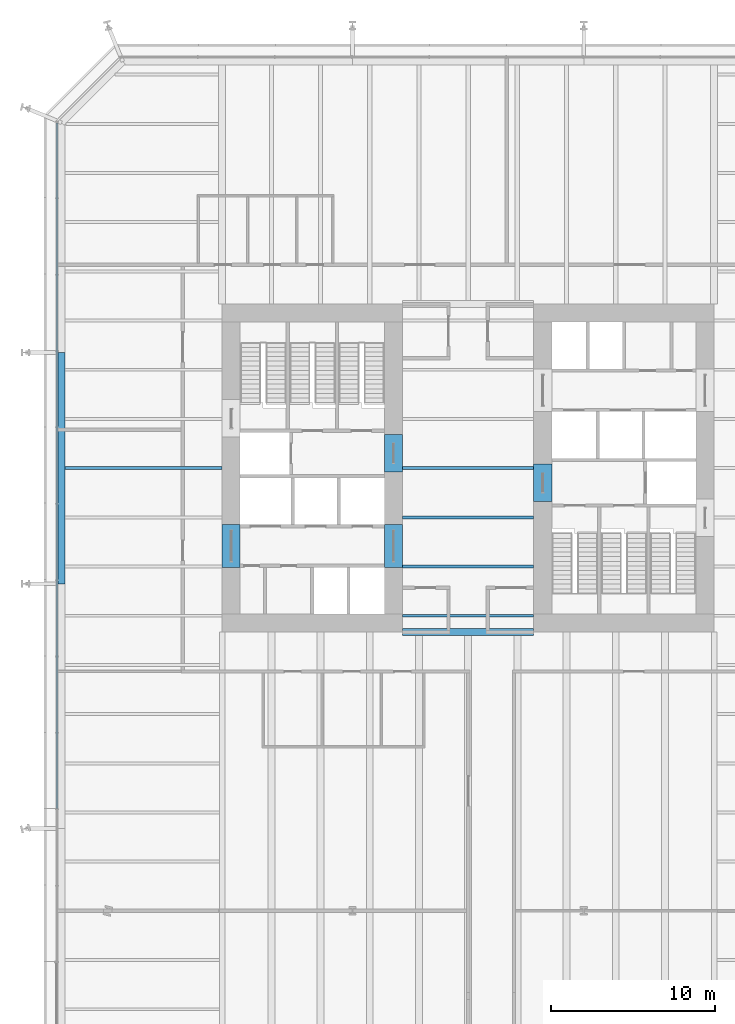
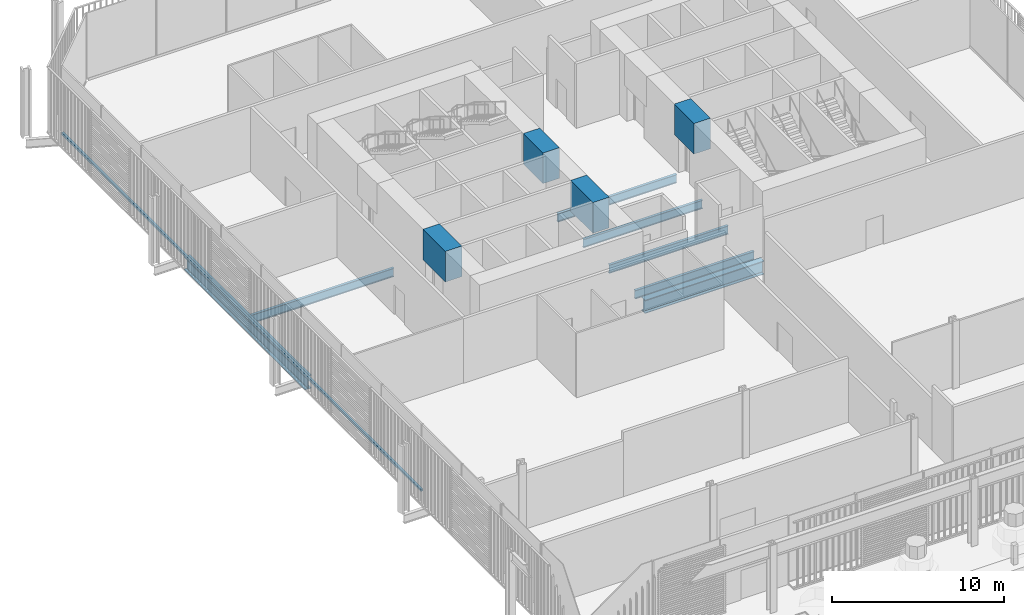
# One storey, part 8 of 25: 11 beams, 1 member, 1 element without a shape of its own.
"""IFC4 building model written with IfcOpenShell, lengths in metres."""

from ifc_helpers import new_model, si_unit, direction, frame, origin, origin_2d, place, context, subcontext, project, spatial, rectangle, i_section, extrude, material, layer, layer_set, material_profile, profile_set, type_object, element, aggregate, save


model = new_model("IFC4")

# Units and contexts
model_context = context("Model", 3, precision=1e-05, world=origin(), true_north=direction((0.0, 1.0)))
body_context = subcontext(model_context, "Body", "Model", "MODEL_VIEW")
ifc_project = project(units=[si_unit("LENGTHUNIT", "METRE"), si_unit("AREAUNIT", "SQUARE_METRE"), si_unit("VOLUMEUNIT", "CUBIC_METRE"), si_unit("PLANEANGLEUNIT", "RADIAN"), si_unit("MASSUNIT", "GRAM", prefix="KILO")], contexts=[model_context])

# Site, building, storey
site_placement = place(None, origin())
site = spatial("IfcSite", under=ifc_project, at=site_placement, CompositionType="ELEMENT")
building_placement = place(site_placement, origin())
building = spatial("IfcBuilding", under=site, at=building_placement, Name="Millrace Tower", CompositionType="ELEMENT")
storey_placement = place(building_placement, frame((0.0, 0.0, 6.5)))
storey = spatial("IfcBuildingStorey", under=building, at=storey_placement, Name="L02", CompositionType="ELEMENT", Elevation=6.5)

# Curtain wall, member
ifc_material_1 = material(Name="Aluminium and glass", Category="aluminium")
ifc_layer = layer(ifc_material_1, 0.14990234375)
ifc_layer_set = layer_set([ifc_layer], Name="Aluminium and glass")
curtain_wall_type = type_object("IfcCurtainWallType", Name="CW-2 data hall insulated curtain wall", PredefinedType="NOTDEFINED", material=ifc_layer_set)
curtain_wall_placement = place(storey_placement, origin())
curtain_wall = element("IfcCurtainWall", 1, at=curtain_wall_placement, inside=storey, type_object=curtain_wall_type, Name="Curtain wall AW2-F06 L02", PredefinedType="NOTDEFINED")
ifc_material_2 = material(Name="Aluminium", Category="aluminium")
ifc_material_profile_1 = material_profile(ifc_material_2, rectangle(XDim=0.14990234375, YDim=0.159912109375, at=origin_2d()))
ifc_profile_set_1 = profile_set([ifc_material_profile_1], Name="Aluminium")
member_type = type_object("IfcMemberType", Name="CW-2 data hall insulated curtain wall transom", PredefinedType="USERDEFINED", material=ifc_profile_set_1)
member_placement = place(storey_placement, frame((-25.074951171875, 21.050048828125, 0.080078125), z_axis=(0.0, -1.0, 0.0), x_axis=(1.0, 0.0, 0.0)))
member = element("IfcMember", 2, at=member_placement, type_object=member_type, Name="CW2 transom AW2-F06.1", ObjectType="TRANSOM", PredefinedType="USERDEFINED", context=body_context, shape_type="SweptSolid", body=[
    extrude(rectangle(XDim=0.14990234375, YDim=0.159912109375, at=origin_2d()), origin(), (0.0, 0.0, 1.0), 41.8193359375),
])
aggregate(curtain_wall, [member])

# Beams
ifc_material_3 = material(Name="Concrete C80", Category="concrete")
ifc_material_profile_2 = material_profile(ifc_material_3, rectangle(XDim=1.10009765625, YDim=2.175048828125, at=origin_2d()))
ifc_profile_set_2 = profile_set([ifc_material_profile_2], Name="Concrete C80")
beam_type_1 = type_object("IfcBeamType", Name="Coupling beam 1100 x 2175 Concrete C80, 1300 opening", PredefinedType="BEAM", material=ifc_profile_set_2)
for number, where, z_axis, x_axis, name in (
    (3, (-4.550048828125, -0.241943359375, 3.487548828125), (0.0, 1.0, 0.0), (-1.0, 0.0, 0.0), "Coupling beam W L02"),
    (4, (4.550048828125, 0.241943359375, 3.487548828125), (0.0, -1.0, 0.0), (1.0, 0.0, 0.0), "Coupling beam E L02"),
):
    element("IfcBeam", number, at=place(storey_placement, frame(where, z_axis=z_axis, x_axis=x_axis)), inside=storey, type_object=beam_type_1, Name=name, PredefinedType="BEAM", context=body_context, shape_type="SweptSolid", body=[
        extrude(rectangle(XDim=1.10009765625, YDim=2.175048828125, at=origin_2d()), origin(), (0.0, 0.0, 1.0), 2.283935546875),
    ])
ifc_material_4 = material(Name="Concrete C80", Category="concrete")
ifc_material_profile_3 = material_profile(ifc_material_4, rectangle(XDim=1.10009765625, YDim=2.175048828125, at=origin_2d()))
ifc_profile_set_3 = profile_set([ifc_material_profile_3], Name="Concrete C80")
beam_type_2 = type_object("IfcBeamType", Name="Coupling beam 1100 x 2175 Concrete C80, 2000 opening", PredefinedType="BEAM", material=ifc_profile_set_3)
for number, where, z_axis, x_axis, name in (
    (5, (-14.449951171875, -6.050048828125, 3.487548828125), (0.0, 1.0, 0.0), (-1.0, 0.0, 0.0), "Coupling beam W L02"),
    (6, (-4.550048828125, -6.050048828125, 3.487548828125), (0.0, 1.0, 0.0), (-1.0, 0.0, 0.0), "Coupling beam W L02"),
):
    element("IfcBeam", number, at=place(storey_placement, frame(where, z_axis=z_axis, x_axis=x_axis)), inside=storey, type_object=beam_type_2, Name=name, PredefinedType="BEAM", context=body_context, shape_type="SweptSolid", body=[
        extrude(rectangle(XDim=1.10009765625, YDim=2.175048828125, at=origin_2d()), origin(), (0.0, 0.0, 1.0), 2.60009765625),
    ])
ifc_material_5 = material(Name="Steel ASTM A992 Grade 50", Category="steel")
ifc_material_profile_4 = material_profile(ifc_material_5, i_section(OverallWidth=0.177978515625, OverallDepth=0.599365234375, WebThickness=0.010009765625, FlangeThickness=0.012939453125, FilletRadius=0.012939453125, at=origin_2d()))
ifc_profile_set_4 = profile_set([ifc_material_profile_4], Name="Steel ASTM A992 Grade 50")
beam_type_3 = type_object("IfcBeamType", Name="Floor beam W24x55", PredefinedType="JOIST", material=ifc_profile_set_4)
for number, where, z_axis, x_axis, name in (
    (7, (-4.0, -9.0, -0.524658203125), (1.0, 0.0, 0.0), (0.0, 1.0, 0.0), "BM-A-L02-S1-S021"),
    (8, (-4.0, -6.0, -0.524658203125), (1.0, 0.0, 0.0), (0.0, 1.0, 0.0), "BM-A-L02-S1-S024"),
    (9, (-4.0, -3.0, -0.524658203125), (1.0, 0.0, 0.0), (0.0, 1.0, 0.0), "BM-A-L02-S1-S027"),
    (10, (-4.0, 0.0, -0.524658203125), (1.0, 0.0, 0.0), (0.0, 1.0, 0.0), "BM-A-L02-S1-S030"),
):
    element("IfcBeam", number, at=place(storey_placement, frame(where, z_axis=z_axis, x_axis=x_axis)), inside=storey, type_object=beam_type_3, Name=name, PredefinedType="JOIST", context=body_context, shape_type="SweptSolid", body=[
        extrude(i_section(OverallWidth=0.177978515625, OverallDepth=0.599365234375, WebThickness=0.010009765625, FlangeThickness=0.012939453125, FilletRadius=0.012939453125, at=origin_2d()), origin(), (0.0, 0.0, 1.0), 8.0),
    ])
ifc_material_6 = material(Name="Steel ASTM A992 Grade 50", Category="steel")
ifc_material_profile_5 = material_profile(ifc_material_6, i_section(OverallWidth=0.1787109375, OverallDepth=0.60205078125, WebThickness=0.010986328125, FlangeThickness=0.014892578125, FilletRadius=0.0126953125, at=origin_2d()))
ifc_profile_set_5 = profile_set([ifc_material_profile_5], Name="Steel ASTM A992 Grade 50")
beam_type_4 = type_object("IfcBeamType", Name="Floor beam W24x62", PredefinedType="JOIST", material=ifc_profile_set_5)
beam_1_placement = place(storey_placement, frame((-24.578369140625, 0.0, -0.52587890625), z_axis=(1.0, 0.0, 0.0), x_axis=(0.0, 1.0, 0.0)))
element("IfcBeam", 11, at=beam_1_placement, inside=storey, type_object=beam_type_4, Name="BM-A-L02-S1-S031", PredefinedType="JOIST", context=body_context, shape_type="SweptSolid", body=[
    extrude(i_section(OverallWidth=0.1787109375, OverallDepth=0.60205078125, WebThickness=0.010986328125, FlangeThickness=0.014892578125, FilletRadius=0.0126953125, at=origin_2d()), origin(), (0.0, 0.0, 1.0), 9.578369140625),
])
ifc_material_7 = material(Name="Steel ASTM A992 Grade 50", Category="steel")
ifc_material_profile_6 = material_profile(ifc_material_7, i_section(OverallWidth=0.424072265625, OverallDepth=0.947509765625, WebThickness=0.02392578125, FlangeThickness=0.042724609375, FilletRadius=0.024169921875, at=origin_2d()))
ifc_profile_set_6 = profile_set([ifc_material_profile_6], Name="Steel ASTM A992 Grade 50")
beam_type_5 = type_object("IfcBeamType", Name="Girder short span W36x302", PredefinedType="BEAM", material=ifc_profile_set_6)
beam_2_placement = place(storey_placement, frame((-4.0, -10.0, -0.69873046875), z_axis=(1.0, 0.0, 0.0), x_axis=(0.0, 1.0, 0.0)))
element("IfcBeam", 12, at=beam_2_placement, inside=storey, type_object=beam_type_5, Name="BM-A-L02-S1-G086", PredefinedType="BEAM", context=body_context, shape_type="SweptSolid", body=[
    extrude(i_section(OverallWidth=0.424072265625, OverallDepth=0.947509765625, WebThickness=0.02392578125, FlangeThickness=0.042724609375, FilletRadius=0.024169921875, at=origin_2d()), origin(), (0.0, 0.0, 1.0), 8.0),
])
ifc_material_8 = material(Name="Steel ASTM A992 Grade 50", Category="steel")
ifc_material_profile_7 = material_profile(ifc_material_8, i_section(OverallWidth=0.421630859375, OverallDepth=0.937255859375, WebThickness=0.021240234375, FlangeThickness=0.03662109375, FilletRadius=0.024169921875, at=origin_2d()))
ifc_profile_set_7 = profile_set([ifc_material_profile_7], Name="Steel ASTM A992 Grade 50")
beam_type_6 = type_object("IfcBeamType", Name="Ring beam medium span W36x262", PredefinedType="SPANDREL", material=ifc_profile_set_7)
beam_3_placement = place(storey_placement, frame((-24.7890625, -7.050048828125, -0.693603515625), z_axis=(0.0, 1.0, 0.0), x_axis=(-1.0, 0.0, 0.0)))
element("IfcBeam", 13, at=beam_3_placement, inside=storey, type_object=beam_type_6, Name="RNG-A-L02-S1-03", PredefinedType="SPANDREL", context=body_context, shape_type="SweptSolid", body=[
    extrude(i_section(OverallWidth=0.421630859375, OverallDepth=0.937255859375, WebThickness=0.021240234375, FlangeThickness=0.03662109375, FilletRadius=0.024169921875, at=origin_2d()), origin(), (0.0, 0.0, 1.0), 14.10009765625),
])

save(model, "model.ifc")
